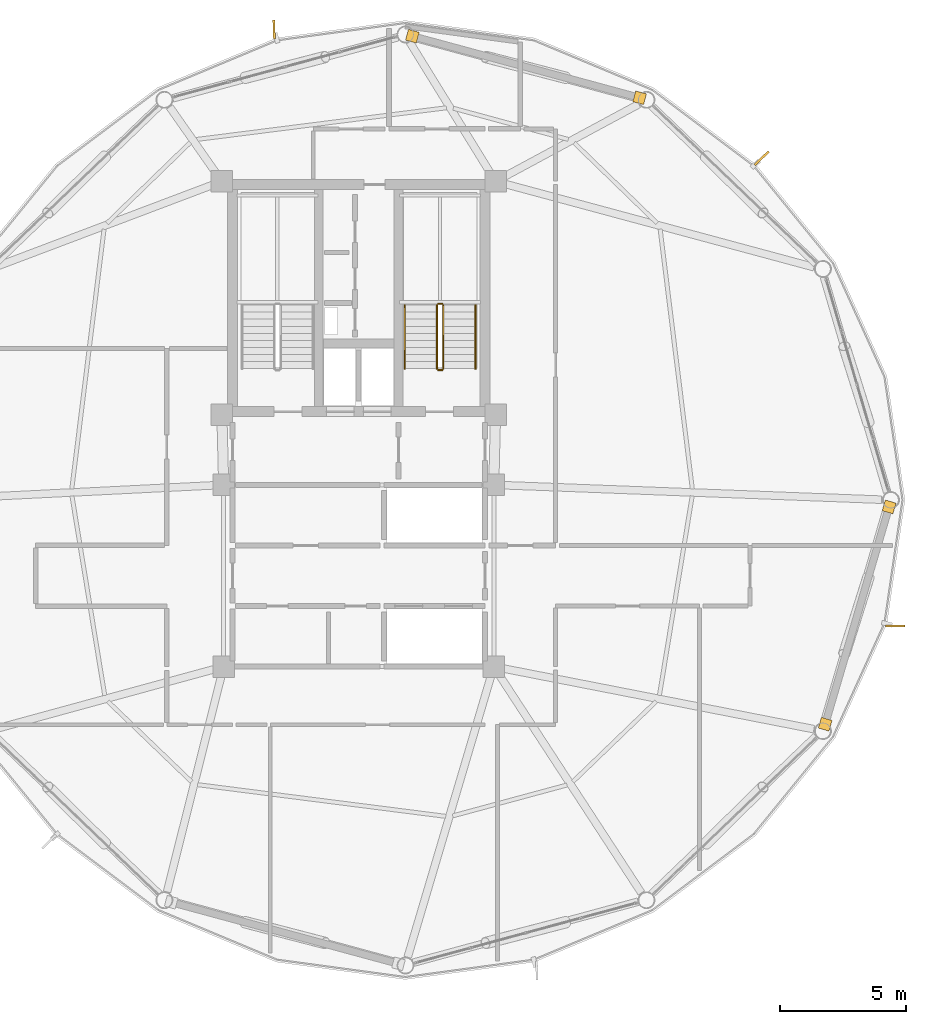
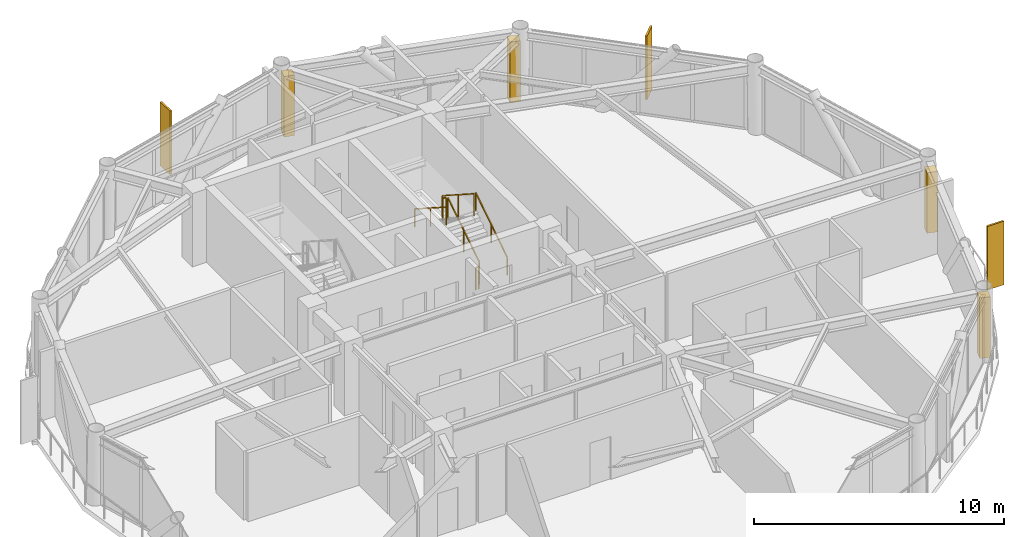
# One storey, part 28 of 28: 6 railings, 4 coverings, 3 shading devices.
"""IFC4 building model written with IfcOpenShell, lengths in metres."""

import ifcopenshell
import ifcopenshell.guid

model = None  # the IFC model being written
_history = None  # IfcOwnerHistory: only IFC2X3 demands one
_inside = {}  # id of a spatial element -> (the spatial element, [elements in it])
_under = {}  # id of a project, library or spatial element -> (it, [spatial elements below it])
_declared = {}  # id of a project -> (the project, [libraries it declares])
_typed = {}  # id of a type object -> (the type object, [elements of that type])
_made_of = {}  # id of a material, layer set ... -> (it, [elements and type objects made of it])


def new_model(schema):
    """Start an empty IFC model of exactly this schema.

    Asked for "IFC4X3", IfcOpenShell would pick the latest addendum, in which some entities
    have other attributes; the version numbers below select the first issue.
    IFC2X3 requires an IfcOwnerHistory on every rooted entity: one is made here for all.
    """
    global model, _history
    if schema == "IFC4X3":
        model = ifcopenshell.file(schema_version=(4, 3, 0, 0))
    else:
        model = ifcopenshell.file(schema=schema)
    _inside.clear()
    _under.clear()
    _declared.clear()
    _typed.clear()
    _made_of.clear()
    _history = None
    if model.schema == "IFC2X3":
        org = make("IfcOrganization", Name="unknown")
        user = make(
            "IfcPersonAndOrganization",
            ThePerson=make("IfcPerson", FamilyName="unknown"),
            TheOrganization=org,
        )
        app = make(
            "IfcApplication",
            ApplicationDeveloper=org,
            Version="unknown",
            ApplicationFullName="unknown",
            ApplicationIdentifier="unknown",
        )
        _history = make(
            "IfcOwnerHistory",
            OwningUser=user,
            OwningApplication=app,
            ChangeAction="ADDED",
            CreationDate=0,
        )
    return model


def make(cls, **values):
    """One entity of the class cls with the attributes given. An attribute that is None is left unset."""
    return model.create_entity(
        cls, **{name: value for name, value in values.items() if value is not None}
    )


def rooted(cls, **values):
    """An entity with a GlobalId (a new one), such as an element, a storey or a relation."""
    return make(cls, GlobalId=ifcopenshell.guid.new(), OwnerHistory=_history, **values)


def si_unit(unit_type, name, prefix=None):
    """IfcSIUnit, for example si_unit("LENGTHUNIT", "METRE", prefix="MILLI")."""
    return make("IfcSIUnit", UnitType=unit_type, Prefix=prefix, Name=name)


def assignment(units):
    """IfcUnitAssignment: the units of a project."""
    return None if units is None else make("IfcUnitAssignment", Units=units)


def point(xyz):
    """IfcCartesianPoint."""
    return None if xyz is None else make("IfcCartesianPoint", Coordinates=xyz)


def direction(xyz):
    """IfcDirection."""
    return None if xyz is None else make("IfcDirection", DirectionRatios=xyz)


def frame(location, z_axis=None, x_axis=None):
    """IfcAxis2Placement3D, a coordinate frame: its origin and axes. An axis left out is left unset."""
    return make(
        "IfcAxis2Placement3D",
        Location=point(location),
        Axis=direction(z_axis),
        RefDirection=direction(x_axis),
    )


def frame_2d(location, x_axis=None):
    """IfcAxis2Placement2D, a coordinate frame in the plane: its origin and x axis."""
    return make(
        "IfcAxis2Placement2D", Location=point(location), RefDirection=direction(x_axis)
    )


def origin():
    """The frame at (0, 0, 0) with its axes left unset."""
    return frame((0.0, 0.0, 0.0))


def origin_2d():
    """The frame at (0, 0) in the plane with its x axis left unset."""
    return frame_2d((0.0, 0.0))


def place(relative_to, where):
    """IfcLocalPlacement: puts the frame where relative to a parent placement (None: the world)."""
    return make(
        "IfcLocalPlacement", PlacementRelTo=relative_to, RelativePlacement=where
    )


def context(
    kind, dimensions, precision=None, world=None, true_north=None, identifier=None
):
    """IfcGeometricRepresentationContext, for example the 3D "Model" context."""
    return make(
        "IfcGeometricRepresentationContext",
        ContextIdentifier=identifier,
        ContextType=kind,
        CoordinateSpaceDimension=dimensions,
        Precision=precision,
        WorldCoordinateSystem=world,
        TrueNorth=true_north,
    )


def subcontext(parent, identifier, kind, view, scale=None):
    """IfcGeometricRepresentationSubContext, for example "Body" below "Model"."""
    return make(
        "IfcGeometricRepresentationSubContext",
        ContextIdentifier=identifier,
        ContextType=kind,
        ParentContext=parent,
        TargetScale=scale,
        TargetView=view,
    )


def project(units=None, contexts=None):
    """IfcProject with its units and contexts."""
    return rooted(
        "IfcProject",
        Name="project",
        RepresentationContexts=contexts,
        UnitsInContext=assignment(units),
    )


def spatial(cls, under=None, at=None, **own):
    """A site, building, storey or space (cls), placed at a placement, below another one or the project."""
    s = rooted(cls, ObjectPlacement=at, **own)
    if under is not None:
        _under.setdefault(under.id(), (under, []))[1].append(s)
    return s


def profile(cls, at=None, kind="AREA", **sizes):
    """A parametric profile (cls). Its sizes go by their IFC names, for example OverallWidth=200.0."""
    return make(cls, ProfileType=kind, Position=at, **sizes)


def rectangle(**sizes):
    """IfcRectangleProfileDef."""
    return profile("IfcRectangleProfileDef", **sizes)


def extrude(swept, where, along, depth):
    """IfcExtrudedAreaSolid: the profile swept, set in the frame where, extruded along a direction by depth."""
    return make(
        "IfcExtrudedAreaSolid",
        SweptArea=swept,
        Position=where,
        ExtrudedDirection=direction(along),
        Depth=depth,
    )


def shape(context_of_items, identifier, shape_type, items):
    """IfcShapeRepresentation: the items that make up one representation, for example the "Body"."""
    return make(
        "IfcShapeRepresentation",
        ContextOfItems=context_of_items,
        RepresentationIdentifier=identifier,
        RepresentationType=shape_type,
        Items=items,
    )


def source(mapping_origin, context_of_items, identifier, shape_type, items):
    """IfcRepresentationMap: a shape defined once, which mapped items show again and again."""
    return make(
        "IfcRepresentationMap",
        MappingOrigin=mapping_origin,
        MappedRepresentation=shape(context_of_items, identifier, shape_type, items),
    )


def transform(
    local_origin,
    x_axis=None,
    y_axis=None,
    z_axis=None,
    scale=None,
    scale2=None,
    scale3=None,
    uniform=True,
):
    """IfcCartesianTransformationOperator3D, or its non-uniform kind. x_axis, y_axis, z_axis: its Axis1, 2, 3."""
    if uniform:
        return make(
            "IfcCartesianTransformationOperator3D",
            Axis1=direction(x_axis),
            Axis2=direction(y_axis),
            LocalOrigin=point(local_origin),
            Scale=scale,
            Axis3=direction(z_axis),
        )
    return make(
        "IfcCartesianTransformationOperator3DnonUniform",
        Axis1=direction(x_axis),
        Axis2=direction(y_axis),
        LocalOrigin=point(local_origin),
        Scale=scale,
        Axis3=direction(z_axis),
        Scale2=scale2,
        Scale3=scale3,
    )


def mapped(mapping_source, mapping_target):
    """IfcMappedItem: shows the shape of a source again, moved by a transform."""
    return make(
        "IfcMappedItem", MappingSource=mapping_source, MappingTarget=mapping_target
    )


def material(Name=None, Category=None):
    """IfcMaterial."""
    return make("IfcMaterial", Name=Name, Category=Category)


def layer(
    of_material, thickness, ventilated=None, Name=None, Category=None, Priority=None
):
    """IfcMaterialLayer: one layer of a wall or slab, of a material (None: an air gap)."""
    return make(
        "IfcMaterialLayer",
        Material=of_material,
        LayerThickness=thickness,
        IsVentilated=ventilated,
        Name=Name,
        Category=Category,
        Priority=Priority,
    )


def layer_set(layers, Name=None):
    """IfcMaterialLayerSet."""
    return make("IfcMaterialLayerSet", MaterialLayers=layers, LayerSetName=Name)


def made_of(thing, what):
    """Note that an element or type object is made of a material, layer set ...; save() writes the relation."""
    if what is not None:
        _made_of.setdefault(what.id(), (what, []))[1].append(thing)
    return thing


def type_object(cls, material=None, **own):
    """A type object (cls), such as IfcWallType, which elements share."""
    return made_of(rooted(cls, **own), material)


def type_shapes(of_type, sources):
    """Give a type object the sources (RepresentationMaps) that its elements show as mapped items."""
    of_type.RepresentationMaps = sources


def element(
    cls,
    number,
    at=None,
    inside=None,
    cuts=None,
    type_object=None,
    material=None,
    context=None,
    identifier="Body",
    shape_type=None,
    held_by="IfcProductDefinitionShape",
    body=None,
    shapes=None,
    **own,
):
    """One element of the class cls, such as IfcWall. Its Tag is "e" and its number.

    at: its placement. inside: the storey or other place that contains it. cuts: it is an
    opening in that element (IfcRelVoidsElement). A single representation is given by context,
    identifier, shape_type and body (its items); several are given by shapes. held_by: the class
    of the entity that holds the representations. save() writes the other relations.
    """
    e = rooted(cls, Tag="e%d" % number, ObjectPlacement=at, **own)
    if body is not None:
        shapes = [shape(context, identifier, shape_type, body)]
    if shapes is not None:
        e.Representation = make(held_by, Representations=shapes)
    if inside is not None:
        _inside.setdefault(inside.id(), (inside, []))[1].append(e)
    if cuts is not None:
        rooted(
            "IfcRelVoidsElement", RelatingBuildingElement=cuts, RelatedOpeningElement=e
        )
    if type_object is not None:
        _typed.setdefault(type_object.id(), (type_object, []))[1].append(e)
    return made_of(e, material)


def aggregate(whole, parts):
    """IfcRelAggregates: a whole, such as a stair, and the parts it consists of."""
    return rooted("IfcRelAggregates", RelatingObject=whole, RelatedObjects=parts)


def save(model, path):
    """Write the relations noted so far, then the file.

    IfcRelAggregates (storeys below a building ...), IfcRelContainedInSpatialStructure (elements
    in a storey), IfcRelDefinesByType, IfcRelAssociatesMaterial and IfcRelDeclares: one each for
    every whole, place, type object, material and project.
    """
    for whole, parts in _under.values():
        aggregate(whole, parts)
    for where, things in _inside.values():
        rooted(
            "IfcRelContainedInSpatialStructure",
            RelatedElements=things,
            RelatingStructure=where,
        )
    for kind, things in _typed.values():
        rooted("IfcRelDefinesByType", RelatedObjects=things, RelatingType=kind)
    for what, things in _made_of.values():
        rooted("IfcRelAssociatesMaterial", RelatedObjects=things, RelatingMaterial=what)
    for by, libraries in _declared.values():
        rooted("IfcRelDeclares", RelatingContext=by, RelatedDefinitions=libraries)
    model.write(path)


model = new_model("IFC4")

# Units and contexts
model_context = context("Model", 3, precision=1e-05, world=origin(), true_north=direction((0.0, 1.0)))
body_context = subcontext(model_context, "Body", "Model", "MODEL_VIEW")
ifc_project = project(units=[si_unit("LENGTHUNIT", "METRE"), si_unit("AREAUNIT", "SQUARE_METRE"), si_unit("VOLUMEUNIT", "CUBIC_METRE"), si_unit("PLANEANGLEUNIT", "RADIAN"), si_unit("MASSUNIT", "GRAM", prefix="KILO")], contexts=[model_context])

# Site, building, storey
site_placement = place(None, origin())
site = spatial("IfcSite", under=ifc_project, at=site_placement, CompositionType="ELEMENT")
building_placement = place(site_placement, origin())
building = spatial("IfcBuilding", under=site, at=building_placement, Name="Varnakorn Sky Granary", CompositionType="ELEMENT")
storey_placement = place(building_placement, frame((0.0, 0.0, 207.60009765625)))
storey = spatial("IfcBuildingStorey", under=building, at=storey_placement, Name="L52", CompositionType="ELEMENT", Elevation=207.60009765625)

# Railings
ifc_material_1 = material(Name="Brushed Stainless Steel 316", Category="steel")
railing_type_1 = type_object("IfcRailingType", Name="RL-STAIR-1100", PredefinedType="GUARDRAIL", material=ifc_material_1)
railing_1_placement = place(storey_placement, frame((6.35009765625, 5.199951171875, 0.179931640625)))
element("IfcRailing", 1, at=railing_1_placement, inside=storey, type_object=railing_type_1, Name="L52 ST-2 stair guard 1", PredefinedType="GUARDRAIL", context=body_context, shape_type="SweptSolid", body=[
    extrude(rectangle(XDim=0.048095703125, YDim=0.048095703125, at=origin_2d()), frame((0.0, 0.0, 1.076171875), z_axis=(0.0, 0.841199657755, 0.540724639528), x_axis=(-1.0, 0.0, 0.0)), (0.0, 0.0, 1.0), 2.995849609375),
    extrude(rectangle(XDim=0.0419921875, YDim=0.0419921875, at=origin_2d()), origin(), (0.0, 0.0, 1.0), 1.048095703125),
    extrude(rectangle(XDim=0.0419921875, YDim=0.0419921875, at=origin_2d()), frame((0.0, 1.260009765625, 0.81005859375)), (0.0, 0.0, 1.0), 1.048095703125),
    extrude(rectangle(XDim=0.0419921875, YDim=0.0419921875, at=origin_2d()), frame((0.0, 2.52001953125, 1.619873046875)), (0.0, 0.0, 1.0), 1.048095703125),
])
railing_2_placement = place(storey_placement, frame((6.300048828125, 7.77001953125, 1.7998046875)))
element("IfcRailing", 2, at=railing_2_placement, inside=storey, type_object=railing_type_1, Name="L52 ST-2 stair guard 2", PredefinedType="GUARDRAIL", context=body_context, shape_type="SweptSolid", body=[
    extrude(rectangle(XDim=0.048095703125, YDim=0.048095703125, at=origin_2d()), frame((0.0, 0.0, 1.076171875), z_axis=(-1.0, 0.0, 0.0), x_axis=(0.0, -1.0, 0.0)), (0.0, 0.0, 1.0), 0.150146484375),
    extrude(rectangle(XDim=0.0419921875, YDim=0.0419921875, at=origin_2d()), origin(), (0.0, 0.0, 1.0), 1.048095703125),
    extrude(rectangle(XDim=0.0419921875, YDim=0.0419921875, at=origin_2d()), frame((-0.150146484375, 0.0, 0.0)), (0.0, 0.0, 1.0), 1.048095703125),
])
railing_3_placement = place(storey_placement, frame((6.10009765625, 7.719970703125, 1.97998046875)))
element("IfcRailing", 3, at=railing_3_placement, inside=storey, type_object=railing_type_1, Name="L52 ST-2 stair guard 3", PredefinedType="GUARDRAIL", context=body_context, shape_type="SweptSolid", body=[
    extrude(rectangle(XDim=0.048095703125, YDim=0.048095703125, at=origin_2d()), frame((0.0, 0.0, 1.076171875), z_axis=(0.0, -0.841199657755, 0.540724639528), x_axis=(1.0, 0.0, 0.0)), (0.0, 0.0, 1.0), 2.995849609375),
    extrude(rectangle(XDim=0.0419921875, YDim=0.0419921875, at=origin_2d()), origin(), (0.0, 0.0, 1.0), 1.048095703125),
    extrude(rectangle(XDim=0.0419921875, YDim=0.0419921875, at=origin_2d()), frame((0.0, -1.260009765625, 0.81005859375)), (0.0, 0.0, 1.0), 1.048095703125),
    extrude(rectangle(XDim=0.0419921875, YDim=0.0419921875, at=origin_2d()), frame((0.0, -2.52001953125, 1.619873046875)), (0.0, 0.0, 1.0), 1.048095703125),
])
railing_4_placement = place(storey_placement, frame((6.300048828125, 5.14990234375, 0.0)))
element("IfcRailing", 4, at=railing_4_placement, inside=storey, type_object=railing_type_1, Name="L52 ST-2 stair guard 4", PredefinedType="GUARDRAIL", context=body_context, shape_type="SweptSolid", body=[
    extrude(rectangle(XDim=0.048095703125, YDim=0.048095703125, at=origin_2d()), frame((0.0, 0.0, 1.076171875), z_axis=(-1.0, 0.0, 0.0), x_axis=(0.0, -1.0, 0.0)), (0.0, 0.0, 1.0), 0.150146484375),
    extrude(rectangle(XDim=0.0419921875, YDim=0.0419921875, at=origin_2d()), origin(), (0.0, 0.0, 1.0), 1.048095703125),
    extrude(rectangle(XDim=0.0419921875, YDim=0.0419921875, at=origin_2d()), frame((-0.150146484375, 0.0, 0.0)), (0.0, 0.0, 1.0), 1.048095703125),
])
railing_type_2 = type_object("IfcRailingType", Name="RL-STAIR-920", PredefinedType="HANDRAIL", material=ifc_material_1)
railing_5_placement = place(storey_placement, frame((7.6298828125, 5.199951171875, 0.179931640625)))
element("IfcRailing", 5, at=railing_5_placement, inside=storey, type_object=railing_type_2, Name="L52 ST-2 stair handrail 1", PredefinedType="HANDRAIL", context=body_context, shape_type="SweptSolid", body=[
    extrude(rectangle(XDim=0.048095703125, YDim=0.048095703125, at=origin_2d()), frame((0.0, 0.0, 0.8759765625), z_axis=(0.0, 0.841199657755, 0.540724639528), x_axis=(-1.0, 0.0, 0.0)), (0.0, 0.0, 1.0), 2.995849609375),
    extrude(rectangle(XDim=0.0419921875, YDim=0.0419921875, at=origin_2d()), origin(), (0.0, 0.0, 1.0), 0.847900390625),
    extrude(rectangle(XDim=0.0419921875, YDim=0.0419921875, at=origin_2d()), frame((0.0, 1.260009765625, 0.81005859375)), (0.0, 0.0, 1.0), 0.847900390625),
    extrude(rectangle(XDim=0.0419921875, YDim=0.0419921875, at=origin_2d()), frame((0.0, 2.52001953125, 1.619873046875)), (0.0, 0.0, 1.0), 0.847900390625),
])
railing_6_placement = place(storey_placement, frame((4.820068359375, 7.719970703125, 1.97998046875)))
element("IfcRailing", 6, at=railing_6_placement, inside=storey, type_object=railing_type_2, Name="L52 ST-2 stair handrail 2", PredefinedType="HANDRAIL", context=body_context, shape_type="SweptSolid", body=[
    extrude(rectangle(XDim=0.048095703125, YDim=0.048095703125, at=origin_2d()), frame((0.0, 0.0, 0.8759765625), z_axis=(0.0, -0.841199657755, 0.540724639528), x_axis=(1.0, 0.0, 0.0)), (0.0, 0.0, 1.0), 2.995849609375),
    extrude(rectangle(XDim=0.0419921875, YDim=0.0419921875, at=origin_2d()), origin(), (0.0, 0.0, 1.0), 0.847900390625),
    extrude(rectangle(XDim=0.0419921875, YDim=0.0419921875, at=origin_2d()), frame((0.0, -1.260009765625, 0.81005859375)), (0.0, 0.0, 1.0), 0.847900390625),
    extrude(rectangle(XDim=0.0419921875, YDim=0.0419921875, at=origin_2d()), frame((0.0, -2.52001953125, 1.619873046875)), (0.0, 0.0, 1.0), 0.847900390625),
])

# Coverings
ifc_material_2 = material(Name="Anodised Bronze Aluminium Alloy 6063-T6", Category="aluminium")
ifc_layer = layer(ifc_material_2, 0.050048828125, Name="Anodised Bronze Aluminium Alloy 6063-T6")
ifc_layer_set = layer_set([ifc_layer], Name="Anodised Bronze Aluminium Alloy 6063-T6")
covering_type = type_object("IfcCoveringType", Name="CV-CLAD-50", PredefinedType="CLADDING", material=ifc_layer_set)
shared_shape_1 = source(origin(), body_context, "Body", "SweptSolid", [
    extrude(rectangle(XDim=0.43994140625, YDim=0.43994140625, at=origin_2d()), origin(), (0.0, 0.0, 1.0), 2.949951171875),
])
type_shapes(covering_type, [shared_shape_1])
for number, where, z_axis, x_axis, name in (
    (7, (5.125, 18.37060546875, -0.02001953125), (0.0, 0.0, 1.0), (0.965199301866, -0.261515406195, 0.0), "Bronze Corner Pilaster Closure L52-P03-A"),
    (8, (14.12744140625, 15.931396484375, -0.02001953125), (0.0, 0.0, 1.0), (0.965199301866, -0.261515406195, 0.0), "Bronze Corner Pilaster Closure L52-P03-B"),
    (9, (24.009521484375, -0.2734375, -0.02001953125), (0.0, 0.0, 1.0), (-0.282341456843, -0.95931397454, 0.0), "Bronze Corner Pilaster Closure L52-P12-A"),
    (10, (21.475830078125, -8.881591796875, -0.02001953125), (0.0, 0.0, 1.0), (-0.282341456843, -0.95931397454, 0.0), "Bronze Corner Pilaster Closure L52-P12-B"),
):
    element("IfcCovering", number, at=place(storey_placement, frame(where, z_axis=z_axis, x_axis=x_axis)), inside=storey, type_object=covering_type, Name=name, PredefinedType="CLADDING", context=body_context, shape_type="MappedRepresentation", body=[
        mapped(shared_shape_1, transform((0.0, 0.0, 0.0), x_axis=(1.0, 0.0, 0.0), y_axis=(0.0, 1.0, 0.0), z_axis=(0.0, 0.0, 1.0), scale=1.0)),
    ])

# Shading devices
shading_device_type = type_object("IfcShadingDeviceType", Name="SH-FIN-03", PredefinedType="USERDEFINED", material=ifc_material_2)
shared_shape_2 = source(origin(), body_context, "Body", "SweptSolid", [
    extrude(rectangle(XDim=0.0849609375, YDim=0.760009765625, at=origin_2d()), origin(), (0.0, 0.0, 1.0), 3.10009765625),
])
type_shapes(shading_device_type, [shared_shape_2])
for number, where, z_axis, x_axis, name in (
    (11, (18.96337890625, 13.537841796875, -0.0400390625), (0.0, 0.0, 1.0), (-0.700576569586, 0.713577234886, 0.0), "Bronze Solar-Tracking Vertical Blade FIN L52-02"),
    (12, (-0.35302734375, 18.63134765625, -0.0400390625), (0.0, 0.0, 1.0), (-0.999439769415, -0.033468601891, 0.0), "Bronze Solar-Tracking Vertical Blade FIN L52-04"),
    (13, (24.251708984375, -4.988037109375, -0.0400390625), (0.0, 0.0, 1.0), (0.007021445275, 0.999975349349, 0.0), "Bronze Solar-Tracking Vertical Blade FIN L52-12"),
):
    element("IfcShadingDevice", number, at=place(storey_placement, frame(where, z_axis=z_axis, x_axis=x_axis)), inside=storey, type_object=shading_device_type, Name=name, ObjectType="FIN", PredefinedType="USERDEFINED", context=body_context, shape_type="MappedRepresentation", body=[
        mapped(shared_shape_2, transform((0.0, 0.0, 0.0), x_axis=(1.0, 0.0, 0.0), y_axis=(0.0, 1.0, 0.0), z_axis=(0.0, 0.0, 1.0), scale=1.0)),
    ])

save(model, "model.ifc")
